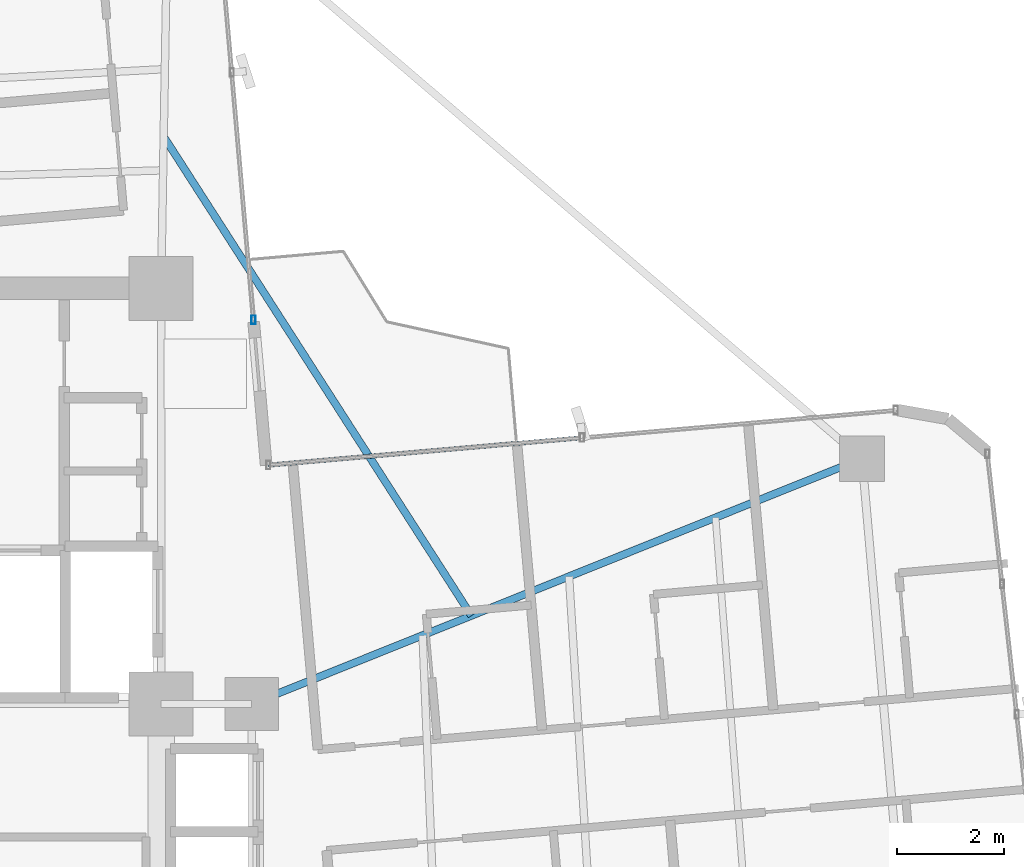
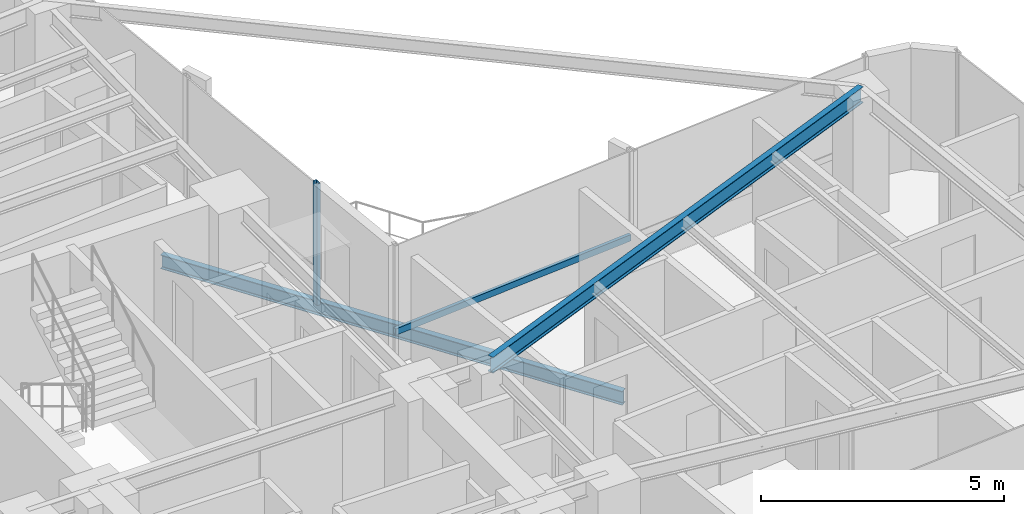
# One storey, part 12 of 24: 2 beams, 2 members, 2 elements without a shape of their own.
"""IFC4 building model written with IfcOpenShell, lengths in metres."""

from ifc_helpers import new_model, si_unit, direction, frame, origin, origin_2d, place, context, subcontext, project, spatial, hollow_rectangle, i_section, extrude, source, transform, mapped, material, material_profile, profile_set, type_object, element, aggregate, save


model = new_model("IFC4")

# Units and contexts
model_context = context("Model", 3, precision=1e-05, world=origin(), true_north=direction((0.0, 1.0)))
body_context = subcontext(model_context, "Body", "Model", "MODEL_VIEW")
ifc_project = project(units=[si_unit("LENGTHUNIT", "METRE"), si_unit("AREAUNIT", "SQUARE_METRE"), si_unit("VOLUMEUNIT", "CUBIC_METRE"), si_unit("PLANEANGLEUNIT", "RADIAN"), si_unit("MASSUNIT", "GRAM", prefix="KILO")], contexts=[model_context])

# Site, building, storey
site_placement = place(None, origin())
site = spatial("IfcSite", under=ifc_project, at=site_placement, CompositionType="ELEMENT")
building_placement = place(site_placement, origin())
building = spatial("IfcBuilding", under=site, at=building_placement, Name="Sahyath Konkavel Grand Hotel", CompositionType="ELEMENT")
storey_placement = place(building_placement, frame((0.0, 0.0, 167.35009765625)))
storey = spatial("IfcBuildingStorey", under=building, at=storey_placement, Name="L46", CompositionType="ELEMENT", Elevation=167.35009765625)

# Beam
ifc_material_1 = material(Name="Steel E350", Category="steel")
ifc_material_profile_1 = material_profile(ifc_material_1, i_section(OverallWidth=0.139892578125, OverallDepth=0.39990234375, WebThickness=0.0087890625, FlangeThickness=0.01611328125, FilletRadius=0.013916015625, at=origin_2d()), Name="ISMB 400")
ifc_profile_set_1 = profile_set([ifc_material_profile_1], Name="Steel E350")
beam_type_1 = type_object("IfcBeamType", Name="BM-ISMB400", PredefinedType="BEAM", material=ifc_profile_set_1)
shared_shape_1 = source(origin(), body_context, "Body", "SweptSolid", [
    extrude(i_section(OverallWidth=0.139892578125, OverallDepth=0.39990234375, WebThickness=0.0087890625, FlangeThickness=0.01611328125, FilletRadius=0.013916015625, at=origin_2d()), origin(), (0.0, 0.0, 1.0), 12.344970703125),
])
beam_1_placement = place(storey_placement, frame((5.5, 2.39990234375, 2.849853515625), z_axis=(0.927837014101, 0.372985891507, 0.0), x_axis=(-0.372985891507, 0.927837014101, 0.0)))
element("IfcBeam", 1, at=beam_1_placement, inside=storey, type_object=beam_type_1, Name="L46 Cruciform Radial Girder EB", PredefinedType="BEAM", context=body_context, shape_type="MappedRepresentation", body=[
    mapped(shared_shape_1, transform((0.0, 0.0, 0.0), scale=1.0)),
])

# Curtain wall, member
ifc_material_2 = material(Name="Anodised Bronze Aluminium & Low-E Glazing", Category="aluminium")
curtain_wall_type = type_object("IfcCurtainWallType", Name="CW-ZONE3", PredefinedType="NOTDEFINED", material=ifc_material_2)
curtain_wall_1_placement = place(storey_placement, origin())
curtain_wall_1 = element("IfcCurtainWall", 2, at=curtain_wall_1_placement, inside=storey, type_object=curtain_wall_type, Name="L46 Unitised Curtain Wall F8", PredefinedType="NOTDEFINED")
ifc_material_3 = material(Name="Anodised Bronze Aluminium", Category="aluminium")
ifc_material_profile_2 = material_profile(ifc_material_3, hollow_rectangle(XDim=0.080078125, YDim=0.159912109375, WallThickness=0.006103515625, at=origin_2d()), Name="RHS 160x80x6")
ifc_profile_set_2 = profile_set([ifc_material_profile_2], Name="Anodised Bronze Aluminium")
member_type_1 = type_object("IfcMemberType", Name="CW-MUL-160", PredefinedType="MULLION", material=ifc_profile_set_2)
shared_shape_2 = source(origin(), body_context, "Body", "SweptSolid", [
    extrude(hollow_rectangle(XDim=0.080078125, YDim=0.159912109375, WallThickness=0.006103515625, at=origin_2d()), origin(), (0.0, 0.0, 1.0), 3.0498046875),
])
member_1_placement = place(storey_placement, frame((5.53369140625, 9.60888671875, 0.0), z_axis=(0.0, 0.0, 1.0), x_axis=(1.0, 0.0, 0.0)))
member_1 = element("IfcMember", 3, at=member_1_placement, type_object=member_type_1, Name="L46 Curtain Wall Mullion F8-0", PredefinedType="MULLION", context=body_context, shape_type="MappedRepresentation", body=[
    mapped(shared_shape_2, transform((0.0, 0.0, 0.0), scale=1.0)),
])
aggregate(curtain_wall_1, [member_1])

curtain_wall_2_placement = place(storey_placement, origin())
curtain_wall_2 = element("IfcCurtainWall", 4, at=curtain_wall_2_placement, inside=storey, type_object=curtain_wall_type, Name="L46 Unitised Curtain Wall F7", PredefinedType="NOTDEFINED")
ifc_material_profile_3 = material_profile(ifc_material_3, hollow_rectangle(XDim=0.080078125, YDim=0.159912109375, WallThickness=0.006103515625, at=origin_2d()), Name="RHS 160x80x6")
ifc_profile_set_3 = profile_set([ifc_material_profile_3], Name="Anodised Bronze Aluminium")
member_type_2 = type_object("IfcMemberType", Name="CW-TRN-160", PredefinedType="USERDEFINED", material=ifc_profile_set_3)
shared_shape_3 = source(origin(), body_context, "Body", "SweptSolid", [
    extrude(hollow_rectangle(XDim=0.080078125, YDim=0.159912109375, WallThickness=0.006103515625, at=origin_2d()), origin(), (0.0, 0.0, 1.0), 5.909912109375),
])
member_2_placement = place(storey_placement, frame((11.69970703125, 7.39794921875, 0.849853515625), z_axis=(-0.996193941691, -0.087164388014, 0.0), x_axis=(0.087164388014, -0.996193941691, 0.0)))
member_2 = element("IfcMember", 5, at=member_2_placement, type_object=member_type_2, Name="L46 Curtain Wall Transom F7-1-spandrel", ObjectType="TRANSOM", PredefinedType="USERDEFINED", context=body_context, shape_type="MappedRepresentation", body=[
    mapped(shared_shape_3, transform((0.0, 0.0, 0.0), scale=1.0)),
])
aggregate(curtain_wall_2, [member_2])

# Beam
ifc_material_profile_4 = material_profile(ifc_material_1, i_section(OverallWidth=0.139892578125, OverallDepth=0.35009765625, WebThickness=0.008056640625, FlangeThickness=0.01416015625, FilletRadius=0.013916015625, at=origin_2d()), Name="ISMB 350")
ifc_profile_set_4 = profile_set([ifc_material_profile_4], Name="Steel E350")
beam_type_2 = type_object("IfcBeamType", Name="BM-BALC-CANT", PredefinedType="BEAM", material=ifc_profile_set_4)
shared_shape_4 = source(origin(), body_context, "Body", "SweptSolid", [
    extrude(i_section(OverallWidth=0.139892578125, OverallDepth=0.35009765625, WebThickness=0.008056640625, FlangeThickness=0.01416015625, FilletRadius=0.013916015625, at=origin_2d()), origin(), (0.0, 0.0, 1.0), 10.685302734375),
])
beam_2_placement = place(storey_placement, frame((9.62353515625, 4.0576171875, -0.4150390625), z_axis=(-0.540404181048, 0.841405562797, 0.0), x_axis=(-0.841405562797, -0.540404181048, 0.0)))
element("IfcBeam", 6, at=beam_2_placement, inside=storey, type_object=beam_type_2, Name="L46 Balcony Cantilever Support Beam NE", PredefinedType="BEAM", context=body_context, shape_type="MappedRepresentation", body=[
    mapped(shared_shape_4, transform((0.0, 0.0, 0.0), scale=1.0)),
])

save(model, "model.ifc")
